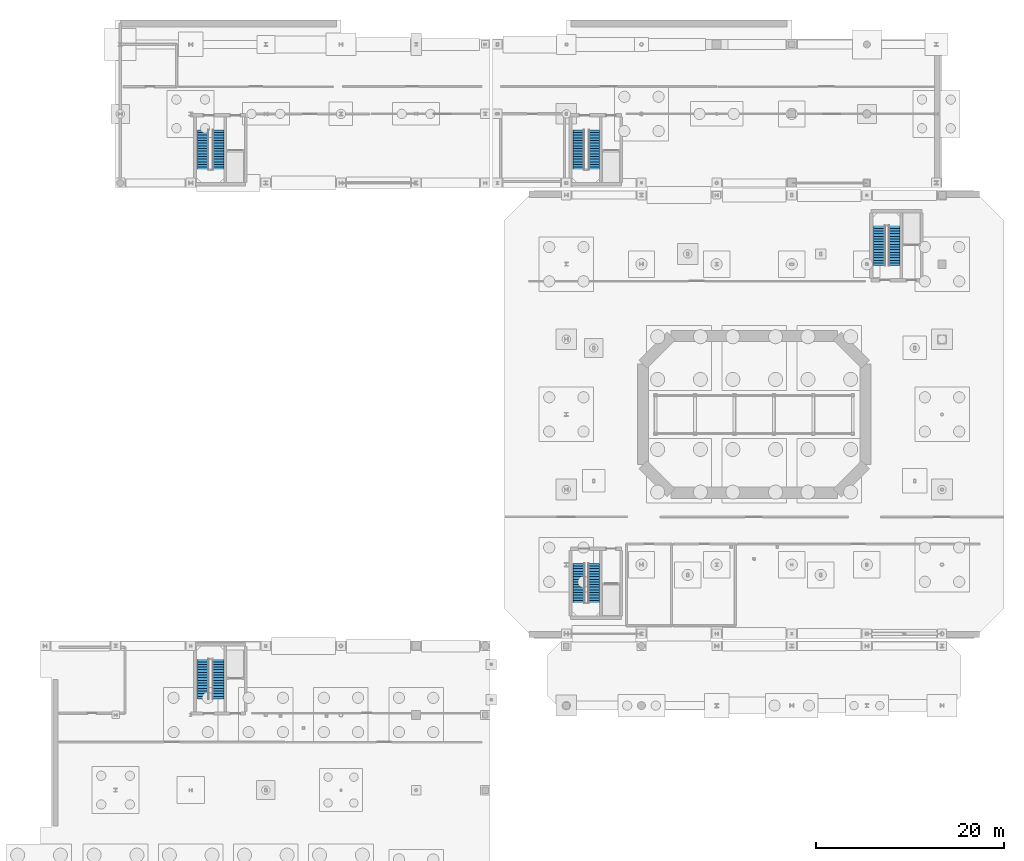
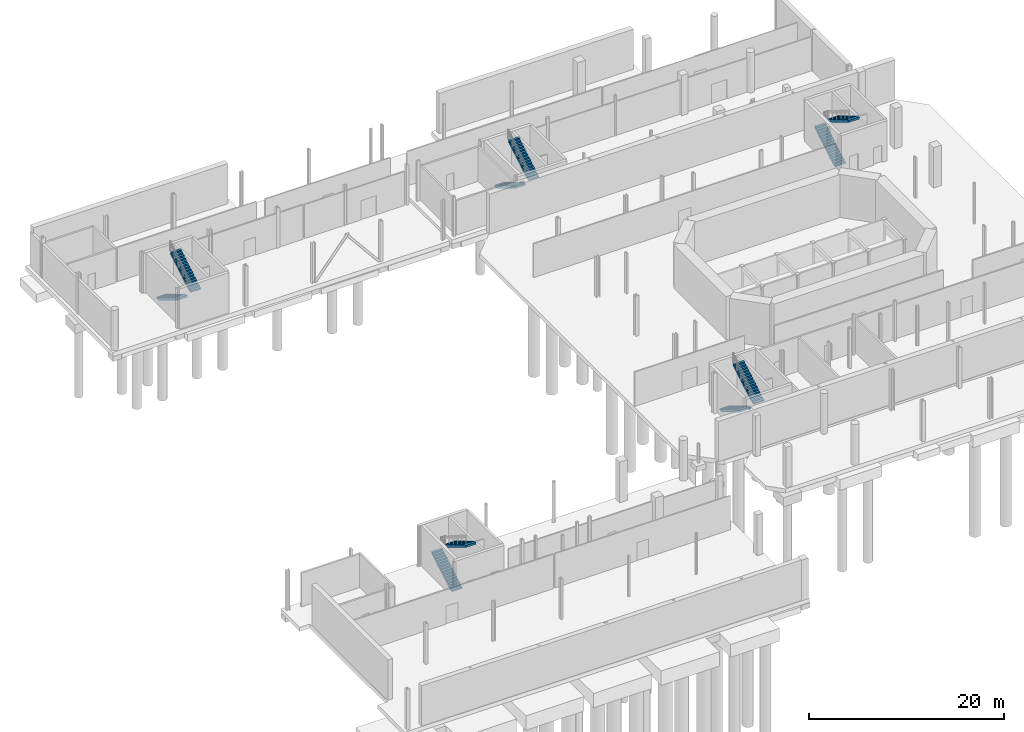
# One storey, part 24 of 33: 10 stair flights, 5 elements without a shape of their own.
"""IFC4 building model written with IfcOpenShell, lengths in metres."""

from ifc_helpers import new_model, si_unit, direction, frame, origin, place, context, subcontext, project, spatial, polyline, outline, extrude, material, type_object, element, aggregate, save


model = new_model("IFC4")

# Units and contexts
model_context = context("Model", 3, precision=1e-05, world=origin(), true_north=direction((0.0, 1.0)))
body_context = subcontext(model_context, "Body", "Model", "MODEL_VIEW")
ifc_project = project(units=[si_unit("LENGTHUNIT", "METRE"), si_unit("AREAUNIT", "SQUARE_METRE"), si_unit("VOLUMEUNIT", "CUBIC_METRE"), si_unit("PLANEANGLEUNIT", "RADIAN"), si_unit("MASSUNIT", "GRAM", prefix="KILO")], contexts=[model_context])

# Site, building, storey
site_placement = place(None, origin())
site = spatial("IfcSite", under=ifc_project, at=site_placement, CompositionType="ELEMENT")
building_placement = place(site_placement, origin())
building = spatial("IfcBuilding", under=site, at=building_placement, Name="Brisemont Oceanarium", CompositionType="ELEMENT")
storey_placement = place(building_placement, frame((0.0, 0.0, -5.39990234375)))
storey = spatial("IfcBuildingStorey", under=building, at=storey_placement, Name="B01", CompositionType="ELEMENT", Elevation=-5.39990234375)

# Stair, stair flights
ifc_material_1 = material(Name="Concrete C40/50", Category="concrete")
stair_type_1 = type_object("IfcStairType", Name="STR-CORE-120-54", PredefinedType="HALF_TURN_STAIR", material=ifc_material_1)
stair_1_placement = place(storey_placement, origin())
stair_1 = element("IfcStair", 1, at=stair_1_placement, inside=storey, type_object=stair_type_1, Name="Exit stair ST-08 B01 to L00", PredefinedType="HALF_TURN_STAIR")
ifc_material_2 = material(Name="Concrete C40/50", Category="concrete")
stair_flight_type_1 = type_object("IfcStairFlightType", Name="FLT-CORE-120-54", PredefinedType="STRAIGHT", material=ifc_material_2)
stair_flight_1_placement = place(storey_placement, frame((65.31005859375, 86.300048828125, 0.0), z_axis=(0.0, 0.0, 1.0), x_axis=(0.0, -1.0, 0.0)))
stair_flight_1 = element("IfcStairFlight", 2, at=stair_flight_1_placement, type_object=stair_flight_type_1, Name="ST-08 B01 lower flight", NumberOfRisers=16, NumberOfTreads=15, PredefinedType="STRAIGHT", RiserHeight=0.16875, TreadLength=0.283333, context=body_context, shape_type="SweptSolid", body=[
    extrude(outline(polyline([(0.0, 0.0), (0.0, 0.168701171875), (0.283447265625, 0.168701171875), (0.283447265625, 0.33740234375), (0.566650390625, 0.33740234375), (0.566650390625, 0.50634765625), (0.85009765625, 0.50634765625), (0.85009765625, 0.675048828125), (1.13330078125, 0.675048828125), (1.13330078125, 0.84375), (1.416748046875, 0.84375), (1.416748046875, 1.012451171875), (1.699951171875, 1.012451171875), (1.699951171875, 1.18115234375), (1.9833984375, 1.18115234375), (1.9833984375, 1.35009765625), (2.2666015625, 1.35009765625), (2.2666015625, 1.518798828125), (2.550048828125, 1.518798828125), (2.550048828125, 1.6875), (2.833251953125, 1.6875), (2.833251953125, 1.856201171875), (3.11669921875, 1.856201171875), (3.11669921875, 2.02490234375), (3.39990234375, 2.02490234375), (3.39990234375, 2.19384765625), (3.683349609375, 2.19384765625), (3.683349609375, 2.362548828125), (3.966552734375, 2.362548828125), (3.966552734375, 2.53125), (4.25, 2.53125), (4.25, 2.699951171875), (4.25, 2.275146484375), (0.429931640625, 0.0), (0.0, 0.0)])), frame((0.0, 0.60009765625, 0.0), z_axis=(0.0, -1.0, 0.0), x_axis=(1.0, 0.0, 0.0)), (0.0, 0.0, 1.0), 1.199951171875),
])
stair_flight_2_placement = place(storey_placement, frame((66.949951171875, 82.050048828125, 2.699951171875), z_axis=(0.0, 0.0, 1.0), x_axis=(0.0, 1.0, 0.0)))
stair_flight_2 = element("IfcStairFlight", 3, at=stair_flight_2_placement, type_object=stair_flight_type_1, Name="ST-08 B01 upper flight", NumberOfRisers=16, NumberOfTreads=15, PredefinedType="STRAIGHT", RiserHeight=0.16875, TreadLength=0.283333, context=body_context, shape_type="SweptSolid", body=[
    extrude(outline(polyline([(0.0, 0.0), (0.0, 0.168701171875), (0.283447265625, 0.168701171875), (0.283447265625, 0.33740234375), (0.566650390625, 0.33740234375), (0.566650390625, 0.50634765625), (0.85009765625, 0.50634765625), (0.85009765625, 0.675048828125), (1.13330078125, 0.675048828125), (1.13330078125, 0.84375), (1.416748046875, 0.84375), (1.416748046875, 1.012451171875), (1.699951171875, 1.012451171875), (1.699951171875, 1.18115234375), (1.9833984375, 1.18115234375), (1.9833984375, 1.35009765625), (2.2666015625, 1.35009765625), (2.2666015625, 1.518798828125), (2.550048828125, 1.518798828125), (2.550048828125, 1.6875), (2.833251953125, 1.6875), (2.833251953125, 1.856201171875), (3.11669921875, 1.856201171875), (3.11669921875, 2.02490234375), (3.39990234375, 2.02490234375), (3.39990234375, 2.19384765625), (3.683349609375, 2.19384765625), (3.683349609375, 2.362548828125), (3.966552734375, 2.362548828125), (3.966552734375, 2.53125), (4.25, 2.53125), (4.25, 2.699951171875), (4.25, 2.275146484375), (0.429931640625, 0.0), (0.0, 0.0)])), frame((0.0, 0.60009765625, 0.0), z_axis=(0.0, -1.0, 0.0), x_axis=(1.0, 0.0, 0.0)), (0.0, 0.0, 1.0), 1.199951171875),
])
aggregate(stair_1, [stair_flight_1, stair_flight_2])

stair_2_placement = place(storey_placement, origin())
stair_2 = element("IfcStair", 4, at=stair_2_placement, inside=storey, type_object=stair_type_1, Name="Exit stair ST-09 B01 to L00", PredefinedType="HALF_TURN_STAIR")
stair_flight_3_placement = place(storey_placement, frame((25.31005859375, 86.300048828125, 0.0), z_axis=(0.0, 0.0, 1.0), x_axis=(0.0, -1.0, 0.0)))
stair_flight_3 = element("IfcStairFlight", 5, at=stair_flight_3_placement, type_object=stair_flight_type_1, Name="ST-09 B01 lower flight", NumberOfRisers=16, NumberOfTreads=15, PredefinedType="STRAIGHT", RiserHeight=0.16875, TreadLength=0.283333, context=body_context, shape_type="SweptSolid", body=[
    extrude(outline(polyline([(0.0, 0.0), (0.0, 0.168701171875), (0.283447265625, 0.168701171875), (0.283447265625, 0.33740234375), (0.566650390625, 0.33740234375), (0.566650390625, 0.50634765625), (0.85009765625, 0.50634765625), (0.85009765625, 0.675048828125), (1.13330078125, 0.675048828125), (1.13330078125, 0.84375), (1.416748046875, 0.84375), (1.416748046875, 1.012451171875), (1.699951171875, 1.012451171875), (1.699951171875, 1.18115234375), (1.9833984375, 1.18115234375), (1.9833984375, 1.35009765625), (2.2666015625, 1.35009765625), (2.2666015625, 1.518798828125), (2.550048828125, 1.518798828125), (2.550048828125, 1.6875), (2.833251953125, 1.6875), (2.833251953125, 1.856201171875), (3.11669921875, 1.856201171875), (3.11669921875, 2.02490234375), (3.39990234375, 2.02490234375), (3.39990234375, 2.19384765625), (3.683349609375, 2.19384765625), (3.683349609375, 2.362548828125), (3.966552734375, 2.362548828125), (3.966552734375, 2.53125), (4.25, 2.53125), (4.25, 2.699951171875), (4.25, 2.275146484375), (0.429931640625, 0.0), (0.0, 0.0)])), frame((0.0, 0.60009765625, 0.0), z_axis=(0.0, -1.0, 0.0), x_axis=(1.0, 0.0, 0.0)), (0.0, 0.0, 1.0), 1.199951171875),
])
stair_flight_4_placement = place(storey_placement, frame((26.949951171875, 82.050048828125, 2.699951171875), z_axis=(0.0, 0.0, 1.0), x_axis=(0.0, 1.0, 0.0)))
stair_flight_4 = element("IfcStairFlight", 6, at=stair_flight_4_placement, type_object=stair_flight_type_1, Name="ST-09 B01 upper flight", NumberOfRisers=16, NumberOfTreads=15, PredefinedType="STRAIGHT", RiserHeight=0.16875, TreadLength=0.283333, context=body_context, shape_type="SweptSolid", body=[
    extrude(outline(polyline([(0.0, 0.0), (0.0, 0.168701171875), (0.283447265625, 0.168701171875), (0.283447265625, 0.33740234375), (0.566650390625, 0.33740234375), (0.566650390625, 0.50634765625), (0.85009765625, 0.50634765625), (0.85009765625, 0.675048828125), (1.13330078125, 0.675048828125), (1.13330078125, 0.84375), (1.416748046875, 0.84375), (1.416748046875, 1.012451171875), (1.699951171875, 1.012451171875), (1.699951171875, 1.18115234375), (1.9833984375, 1.18115234375), (1.9833984375, 1.35009765625), (2.2666015625, 1.35009765625), (2.2666015625, 1.518798828125), (2.550048828125, 1.518798828125), (2.550048828125, 1.6875), (2.833251953125, 1.6875), (2.833251953125, 1.856201171875), (3.11669921875, 1.856201171875), (3.11669921875, 2.02490234375), (3.39990234375, 2.02490234375), (3.39990234375, 2.19384765625), (3.683349609375, 2.19384765625), (3.683349609375, 2.362548828125), (3.966552734375, 2.362548828125), (3.966552734375, 2.53125), (4.25, 2.53125), (4.25, 2.699951171875), (4.25, 2.275146484375), (0.429931640625, 0.0), (0.0, 0.0)])), frame((0.0, 0.60009765625, 0.0), z_axis=(0.0, -1.0, 0.0), x_axis=(1.0, 0.0, 0.0)), (0.0, 0.0, 1.0), 1.199951171875),
])
aggregate(stair_2, [stair_flight_3, stair_flight_4])

ifc_material_3 = material(Name="Concrete C40/50", Category="concrete")
stair_type_2 = type_object("IfcStairType", Name="STR-CORE-124-54", PredefinedType="HALF_TURN_STAIR", material=ifc_material_3)
stair_3_placement = place(storey_placement, origin())
stair_3 = element("IfcStair", 7, at=stair_3_placement, inside=storey, type_object=stair_type_2, Name="Exit stair ST-01 B01 to L00", PredefinedType="HALF_TURN_STAIR")
ifc_material_4 = material(Name="Concrete C40/50", Category="concrete")
stair_flight_type_2 = type_object("IfcStairFlightType", Name="FLT-CORE-124-54", PredefinedType="STRAIGHT", material=ifc_material_4)
stair_flight_5_placement = place(storey_placement, frame((65.330078125, 40.14990234375, 0.0), z_axis=(0.0, 0.0, 1.0), x_axis=(0.0, -1.0, 0.0)))
stair_flight_5 = element("IfcStairFlight", 8, at=stair_flight_5_placement, type_object=stair_flight_type_2, Name="ST-01 B01 lower flight", NumberOfRisers=16, NumberOfTreads=15, PredefinedType="STRAIGHT", RiserHeight=0.16875, TreadLength=0.283333, context=body_context, shape_type="SweptSolid", body=[
    extrude(outline(polyline([(0.0, 0.0), (0.0, 0.168701171875), (0.283447265625, 0.168701171875), (0.283447265625, 0.33740234375), (0.566650390625, 0.33740234375), (0.566650390625, 0.50634765625), (0.85009765625, 0.50634765625), (0.85009765625, 0.675048828125), (1.13330078125, 0.675048828125), (1.13330078125, 0.84375), (1.416748046875, 0.84375), (1.416748046875, 1.012451171875), (1.699951171875, 1.012451171875), (1.699951171875, 1.18115234375), (1.9833984375, 1.18115234375), (1.9833984375, 1.35009765625), (2.2666015625, 1.35009765625), (2.2666015625, 1.518798828125), (2.550048828125, 1.518798828125), (2.550048828125, 1.6875), (2.833251953125, 1.6875), (2.833251953125, 1.856201171875), (3.11669921875, 1.856201171875), (3.11669921875, 2.02490234375), (3.39990234375, 2.02490234375), (3.39990234375, 2.19384765625), (3.683349609375, 2.19384765625), (3.683349609375, 2.362548828125), (3.966552734375, 2.362548828125), (3.966552734375, 2.53125), (4.25, 2.53125), (4.25, 2.699951171875), (4.25, 2.275146484375), (0.429931640625, 0.0), (0.0, 0.0)])), frame((0.0, 0.6201171875, 0.0), z_axis=(0.0, -1.0, 0.0), x_axis=(1.0, 0.0, 0.0)), (0.0, 0.0, 1.0), 1.239990234375),
])
stair_flight_6_placement = place(storey_placement, frame((66.929931640625, 35.89990234375, 2.699951171875), z_axis=(0.0, 0.0, 1.0), x_axis=(0.0, 1.0, 0.0)))
stair_flight_6 = element("IfcStairFlight", 9, at=stair_flight_6_placement, type_object=stair_flight_type_2, Name="ST-01 B01 upper flight", NumberOfRisers=16, NumberOfTreads=15, PredefinedType="STRAIGHT", RiserHeight=0.16875, TreadLength=0.283333, context=body_context, shape_type="SweptSolid", body=[
    extrude(outline(polyline([(0.0, 0.0), (0.0, 0.168701171875), (0.283447265625, 0.168701171875), (0.283447265625, 0.33740234375), (0.566650390625, 0.33740234375), (0.566650390625, 0.50634765625), (0.85009765625, 0.50634765625), (0.85009765625, 0.675048828125), (1.13330078125, 0.675048828125), (1.13330078125, 0.84375), (1.416748046875, 0.84375), (1.416748046875, 1.012451171875), (1.699951171875, 1.012451171875), (1.699951171875, 1.18115234375), (1.9833984375, 1.18115234375), (1.9833984375, 1.35009765625), (2.2666015625, 1.35009765625), (2.2666015625, 1.518798828125), (2.550048828125, 1.518798828125), (2.550048828125, 1.6875), (2.833251953125, 1.6875), (2.833251953125, 1.856201171875), (3.11669921875, 1.856201171875), (3.11669921875, 2.02490234375), (3.39990234375, 2.02490234375), (3.39990234375, 2.19384765625), (3.683349609375, 2.19384765625), (3.683349609375, 2.362548828125), (3.966552734375, 2.362548828125), (3.966552734375, 2.53125), (4.25, 2.53125), (4.25, 2.699951171875), (4.25, 2.275146484375), (0.429931640625, 0.0), (0.0, 0.0)])), frame((0.0, 0.6201171875, 0.0), z_axis=(0.0, -1.0, 0.0), x_axis=(1.0, 0.0, 0.0)), (0.0, 0.0, 1.0), 1.239990234375),
])
aggregate(stair_3, [stair_flight_5, stair_flight_6])

stair_4_placement = place(storey_placement, origin())
stair_4 = element("IfcStair", 10, at=stair_4_placement, inside=storey, type_object=stair_type_2, Name="Exit stair ST-02 B01 to L00", PredefinedType="HALF_TURN_STAIR")
stair_flight_7_placement = place(storey_placement, frame((97.330078125, 71.85009765625, 0.0), z_axis=(0.0, 0.0, 1.0), x_axis=(0.0, 1.0, 0.0)))
stair_flight_7 = element("IfcStairFlight", 11, at=stair_flight_7_placement, type_object=stair_flight_type_2, Name="ST-02 B01 lower flight", NumberOfRisers=16, NumberOfTreads=15, PredefinedType="STRAIGHT", RiserHeight=0.16875, TreadLength=0.283333, context=body_context, shape_type="SweptSolid", body=[
    extrude(outline(polyline([(0.0, 0.0), (0.0, 0.168701171875), (0.283447265625, 0.168701171875), (0.283447265625, 0.33740234375), (0.566650390625, 0.33740234375), (0.566650390625, 0.50634765625), (0.85009765625, 0.50634765625), (0.85009765625, 0.675048828125), (1.13330078125, 0.675048828125), (1.13330078125, 0.84375), (1.416748046875, 0.84375), (1.416748046875, 1.012451171875), (1.699951171875, 1.012451171875), (1.699951171875, 1.18115234375), (1.9833984375, 1.18115234375), (1.9833984375, 1.35009765625), (2.2666015625, 1.35009765625), (2.2666015625, 1.518798828125), (2.550048828125, 1.518798828125), (2.550048828125, 1.6875), (2.833251953125, 1.6875), (2.833251953125, 1.856201171875), (3.11669921875, 1.856201171875), (3.11669921875, 2.02490234375), (3.39990234375, 2.02490234375), (3.39990234375, 2.19384765625), (3.683349609375, 2.19384765625), (3.683349609375, 2.362548828125), (3.966552734375, 2.362548828125), (3.966552734375, 2.53125), (4.25, 2.53125), (4.25, 2.699951171875), (4.25, 2.275146484375), (0.429931640625, 0.0), (0.0, 0.0)])), frame((0.0, 0.6201171875, 0.0), z_axis=(0.0, -1.0, 0.0), x_axis=(1.0, 0.0, 0.0)), (0.0, 0.0, 1.0), 1.239990234375),
])
stair_flight_8_placement = place(storey_placement, frame((98.929931640625, 76.10009765625, 2.699951171875), z_axis=(0.0, 0.0, 1.0), x_axis=(0.0, -1.0, 0.0)))
stair_flight_8 = element("IfcStairFlight", 12, at=stair_flight_8_placement, type_object=stair_flight_type_2, Name="ST-02 B01 upper flight", NumberOfRisers=16, NumberOfTreads=15, PredefinedType="STRAIGHT", RiserHeight=0.16875, TreadLength=0.283333, context=body_context, shape_type="SweptSolid", body=[
    extrude(outline(polyline([(0.0, 0.0), (0.0, 0.168701171875), (0.283447265625, 0.168701171875), (0.283447265625, 0.33740234375), (0.566650390625, 0.33740234375), (0.566650390625, 0.50634765625), (0.85009765625, 0.50634765625), (0.85009765625, 0.675048828125), (1.13330078125, 0.675048828125), (1.13330078125, 0.84375), (1.416748046875, 0.84375), (1.416748046875, 1.012451171875), (1.699951171875, 1.012451171875), (1.699951171875, 1.18115234375), (1.9833984375, 1.18115234375), (1.9833984375, 1.35009765625), (2.2666015625, 1.35009765625), (2.2666015625, 1.518798828125), (2.550048828125, 1.518798828125), (2.550048828125, 1.6875), (2.833251953125, 1.6875), (2.833251953125, 1.856201171875), (3.11669921875, 1.856201171875), (3.11669921875, 2.02490234375), (3.39990234375, 2.02490234375), (3.39990234375, 2.19384765625), (3.683349609375, 2.19384765625), (3.683349609375, 2.362548828125), (3.966552734375, 2.362548828125), (3.966552734375, 2.53125), (4.25, 2.53125), (4.25, 2.699951171875), (4.25, 2.275146484375), (0.429931640625, 0.0), (0.0, 0.0)])), frame((0.0, 0.6201171875, 0.0), z_axis=(0.0, -1.0, 0.0), x_axis=(1.0, 0.0, 0.0)), (0.0, 0.0, 1.0), 1.239990234375),
])
aggregate(stair_4, [stair_flight_7, stair_flight_8])

stair_5_placement = place(storey_placement, origin())
stair_5 = element("IfcStair", 13, at=stair_5_placement, inside=storey, type_object=stair_type_2, Name="Exit stair ST-03 B01 to L00", PredefinedType="HALF_TURN_STAIR")
stair_flight_9_placement = place(storey_placement, frame((25.330078125, 25.699951171875, 0.0), z_axis=(0.0, 0.0, 1.0), x_axis=(0.0, 1.0, 0.0)))
stair_flight_9 = element("IfcStairFlight", 14, at=stair_flight_9_placement, type_object=stair_flight_type_2, Name="ST-03 B01 lower flight", NumberOfRisers=16, NumberOfTreads=15, PredefinedType="STRAIGHT", RiserHeight=0.16875, TreadLength=0.283333, context=body_context, shape_type="SweptSolid", body=[
    extrude(outline(polyline([(0.0, 0.0), (0.0, 0.168701171875), (0.283447265625, 0.168701171875), (0.283447265625, 0.33740234375), (0.566650390625, 0.33740234375), (0.566650390625, 0.50634765625), (0.85009765625, 0.50634765625), (0.85009765625, 0.675048828125), (1.13330078125, 0.675048828125), (1.13330078125, 0.84375), (1.416748046875, 0.84375), (1.416748046875, 1.012451171875), (1.699951171875, 1.012451171875), (1.699951171875, 1.18115234375), (1.9833984375, 1.18115234375), (1.9833984375, 1.35009765625), (2.2666015625, 1.35009765625), (2.2666015625, 1.518798828125), (2.550048828125, 1.518798828125), (2.550048828125, 1.6875), (2.833251953125, 1.6875), (2.833251953125, 1.856201171875), (3.11669921875, 1.856201171875), (3.11669921875, 2.02490234375), (3.39990234375, 2.02490234375), (3.39990234375, 2.19384765625), (3.683349609375, 2.19384765625), (3.683349609375, 2.362548828125), (3.966552734375, 2.362548828125), (3.966552734375, 2.53125), (4.25, 2.53125), (4.25, 2.699951171875), (4.25, 2.275146484375), (0.429931640625, 0.0), (0.0, 0.0)])), frame((0.0, 0.6201171875, 0.0), z_axis=(0.0, -1.0, 0.0), x_axis=(1.0, 0.0, 0.0)), (0.0, 0.0, 1.0), 1.239990234375),
])
stair_flight_10_placement = place(storey_placement, frame((26.929931640625, 29.949951171875, 2.699951171875), z_axis=(0.0, 0.0, 1.0), x_axis=(0.0, -1.0, 0.0)))
stair_flight_10 = element("IfcStairFlight", 15, at=stair_flight_10_placement, type_object=stair_flight_type_2, Name="ST-03 B01 upper flight", NumberOfRisers=16, NumberOfTreads=15, PredefinedType="STRAIGHT", RiserHeight=0.16875, TreadLength=0.283333, context=body_context, shape_type="SweptSolid", body=[
    extrude(outline(polyline([(0.0, 0.0), (0.0, 0.168701171875), (0.283447265625, 0.168701171875), (0.283447265625, 0.33740234375), (0.566650390625, 0.33740234375), (0.566650390625, 0.50634765625), (0.85009765625, 0.50634765625), (0.85009765625, 0.675048828125), (1.13330078125, 0.675048828125), (1.13330078125, 0.84375), (1.416748046875, 0.84375), (1.416748046875, 1.012451171875), (1.699951171875, 1.012451171875), (1.699951171875, 1.18115234375), (1.9833984375, 1.18115234375), (1.9833984375, 1.35009765625), (2.2666015625, 1.35009765625), (2.2666015625, 1.518798828125), (2.550048828125, 1.518798828125), (2.550048828125, 1.6875), (2.833251953125, 1.6875), (2.833251953125, 1.856201171875), (3.11669921875, 1.856201171875), (3.11669921875, 2.02490234375), (3.39990234375, 2.02490234375), (3.39990234375, 2.19384765625), (3.683349609375, 2.19384765625), (3.683349609375, 2.362548828125), (3.966552734375, 2.362548828125), (3.966552734375, 2.53125), (4.25, 2.53125), (4.25, 2.699951171875), (4.25, 2.275146484375), (0.429931640625, 0.0), (0.0, 0.0)])), frame((0.0, 0.6201171875, 0.0), z_axis=(0.0, -1.0, 0.0), x_axis=(1.0, 0.0, 0.0)), (0.0, 0.0, 1.0), 1.239990234375),
])
aggregate(stair_5, [stair_flight_9, stair_flight_10])

save(model, "model.ifc")
